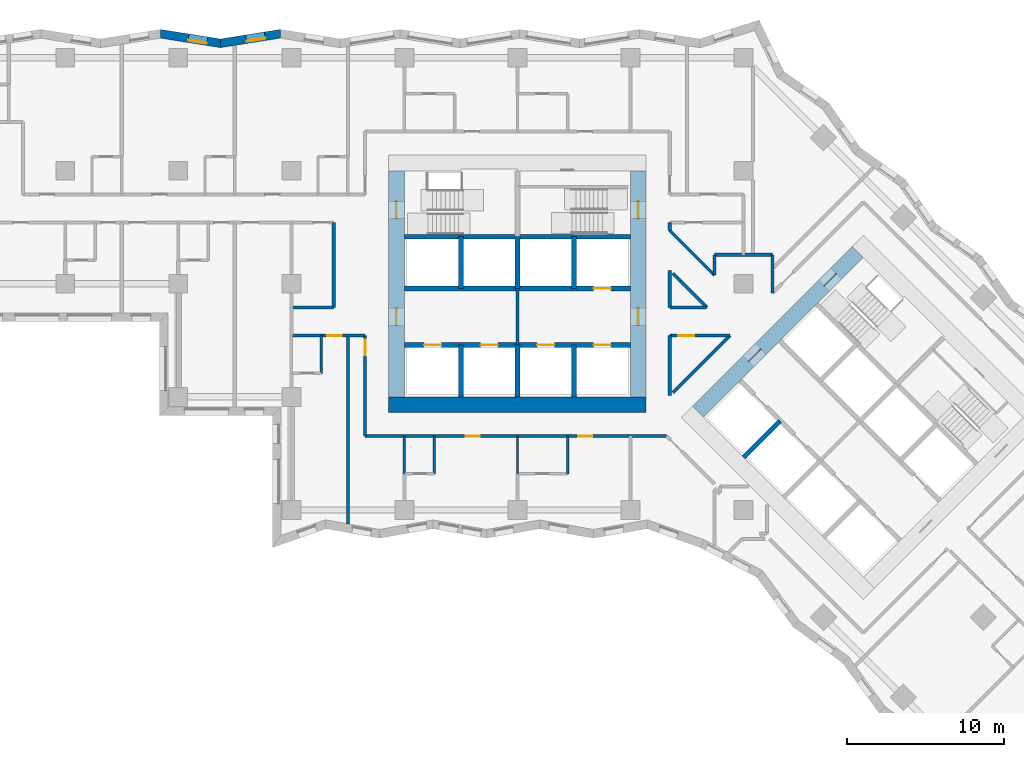
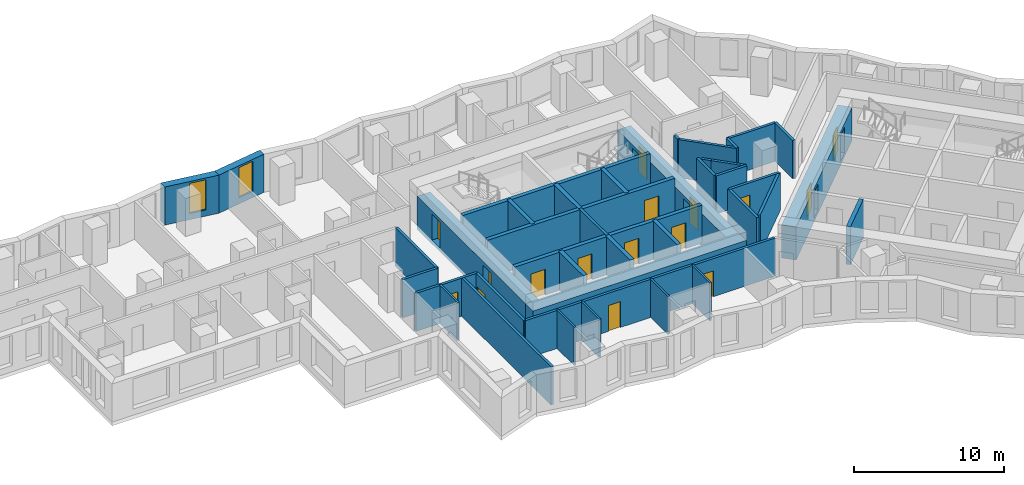
# One storey, part 5 of 12: 41 walls, 16 doors, 2 windows, 18 openings.
"""IFC4 building model written with IfcOpenShell, lengths in metres."""

from ifc_helpers import new_model, si_unit, direction, frame, frame_2d, origin, place, context, subcontext, project, spatial, polyline, rectangle, outline, extrude, material, layer, layer_set, type_object, element, fill, save


model = new_model("IFC4")

# Units and contexts
model_context = context("Model", 3, precision=1e-05, world=origin(), true_north=direction((0.0, 1.0)))
body_context = subcontext(model_context, "Body", "Model", "MODEL_VIEW")
ifc_project = project(units=[si_unit("LENGTHUNIT", "METRE"), si_unit("AREAUNIT", "SQUARE_METRE"), si_unit("VOLUMEUNIT", "CUBIC_METRE"), si_unit("PLANEANGLEUNIT", "RADIAN"), si_unit("MASSUNIT", "GRAM", prefix="KILO")], contexts=[model_context])

# Site, building, storey
site_placement = place(None, origin())
site = spatial("IfcSite", under=ifc_project, at=site_placement, CompositionType="ELEMENT")
building_placement = place(site_placement, origin())
building = spatial("IfcBuilding", under=site, at=building_placement, Name="Windrow Commons", CompositionType="ELEMENT")
storey_placement = place(building_placement, frame((0.0, 0.0, 61.0)))
storey = spatial("IfcBuildingStorey", under=building, at=storey_placement, Name="L16", CompositionType="ELEMENT", Elevation=61.0)

# Wall, opening, window
ifc_material_1 = material(Name="Brick masonry, red clay brick", Category="masonry")
ifc_layer_1 = layer(ifc_material_1, 0.55)
ifc_layer_set_1 = layer_set([ifc_layer_1], Name="Brick facade wall 550")
wall_type_1 = type_object("IfcWallType", Name="Brick facade wall 550", PredefinedType="SOLIDWALL", material=ifc_layer_set_1)
wall_1_placement = place(storey_placement, frame((49.6962, 73.5246, 0.0), z_axis=(0.0, 0.0, 1.0), x_axis=(-0.9877213372, -0.1562259905, 0.0)))
wall_1 = element("IfcWall", 1, at=wall_1_placement, inside=storey, type_object=wall_type_1, Name="Brick facade wall L16 31", PredefinedType="SOLIDWALL", context=body_context, shape_type="SweptSolid", body=[
    extrude(outline(polyline([(-0.0435, -0.275), (3.8163, -0.275), (3.9033, 0.275), (0.0435, 0.275), (-0.0435, -0.275)])), origin(), (0.0, 0.0, 1.0), 3.1),
])
opening_1_placement = place(wall_1_placement, frame((0.9878, 0.0, 0.5)))
opening_1 = element("IfcOpeningElement", 2, at=opening_1_placement, cuts=wall_1, Name="Opening W7D", PredefinedType="OPENING", context=body_context, shape_type="SweptSolid", body=[
    extrude(rectangle(XDim=1.2, YDim=2.45, at=frame_2d((0.6, 1.225))), frame((0.0, 0.285, 0.0), z_axis=(0.0, -1.0, 0.0), x_axis=(1.0, 0.0, 0.0)), (0.0, 0.0, 1.0), 0.57),
])
ifc_material_2 = material(Name="Clear float glass in anodised aluminium frame", Category="aluminium")
window_type = type_object("IfcWindowType", Name="Window W7 notch 1200x2450", PartitioningType="SINGLE_PANEL", PredefinedType="WINDOW", material=ifc_material_2)
window_1_placement = place(opening_1_placement, origin())
window_1 = element("IfcWindow", 3, at=window_1_placement, inside=storey, type_object=window_type, Name="Window L16 31.1", OverallHeight=2.45, OverallWidth=1.2, PartitioningType="SINGLE_PANEL", PredefinedType="WINDOW", context=body_context, shape_type="SweptSolid", body=[
    extrude(rectangle(XDim=1.2, YDim=2.45, at=frame_2d((0.6, 1.225))), frame((0.0, 0.155, 0.0), z_axis=(0.0, -1.0, 0.0), x_axis=(1.0, 0.0, 0.0)), (0.0, 0.0, 1.0), 0.06),
])
fill(opening_1, window_1)

wall_2_placement = place(storey_placement, frame((45.8838, 72.9216, 0.0), z_axis=(0.0, 0.0, 1.0), x_axis=(-0.9877213372, 0.1562259905, 0.0)))
wall_2 = element("IfcWall", 4, at=wall_2_placement, inside=storey, type_object=wall_type_1, Name="Brick facade wall L16 32", PredefinedType="SOLIDWALL", context=body_context, shape_type="SweptSolid", body=[
    extrude(outline(polyline([(0.0435, -0.275), (3.9033, -0.275), (3.8163, 0.275), (-0.0435, 0.275), (0.0435, -0.275)])), origin(), (0.0, 0.0, 1.0), 3.1),
])
opening_2_placement = place(wall_2_placement, frame((0.8586, 0.0, 0.5)))
opening_2 = element("IfcOpeningElement", 5, at=opening_2_placement, cuts=wall_2, Name="Opening W7D", PredefinedType="OPENING", context=body_context, shape_type="SweptSolid", body=[
    extrude(rectangle(XDim=1.2, YDim=2.45, at=frame_2d((0.6, 1.225))), frame((0.0, 0.285, 0.0), z_axis=(0.0, -1.0, 0.0), x_axis=(1.0, 0.0, 0.0)), (0.0, 0.0, 1.0), 0.57),
])
window_2_placement = place(opening_2_placement, origin())
window_2 = element("IfcWindow", 6, at=window_2_placement, inside=storey, type_object=window_type, Name="Window L16 32.1", OverallHeight=2.45, OverallWidth=1.2, PartitioningType="SINGLE_PANEL", PredefinedType="WINDOW", context=body_context, shape_type="SweptSolid", body=[
    extrude(rectangle(XDim=1.2, YDim=2.45, at=frame_2d((0.6, 1.225))), frame((0.0, 0.155, 0.0), z_axis=(0.0, -1.0, 0.0), x_axis=(1.0, 0.0, 0.0)), (0.0, 0.0, 1.0), 0.06),
])
fill(opening_2, window_2)

# Wall
ifc_material_3 = material(Name="Blockwork partition", Category="masonry")
ifc_layer_2 = layer(ifc_material_3, 0.2)
ifc_layer_set_2 = layer_set([ifc_layer_2], Name="Fire lobby partition 200")
wall_type_2 = type_object("IfcWallType", Name="Fire lobby partition 200", PredefinedType="PARTITIONING", material=ifc_layer_set_2)
wall_3_placement = place(storey_placement, frame((64.8, 53.7, 0.0), z_axis=(0.0, 0.0, 1.0), x_axis=(0.0, 1.0, 0.0)))
element("IfcWall", 7, at=wall_3_placement, inside=storey, type_object=wall_type_2, Name="W-core-lobby-A-L16", PredefinedType="PARTITIONING", context=body_context, shape_type="SweptSolid", body=[
    extrude(rectangle(XDim=3.6, YDim=0.2, at=frame_2d((1.8, 0.0))), origin(), (0.0, 0.0, 1.0), 3.1),
])

# Wall, openings, doors
ifc_material_4 = material(Name="Blockwork partition", Category="masonry")
ifc_layer_3 = layer(ifc_material_4, 0.2)
ifc_layer_set_3 = layer_set([ifc_layer_3], Name="IW-CORRIDOR-200")
wall_type_3 = type_object("IfcWallType", Name="IW-CORRIDOR-200", PredefinedType="PARTITIONING", material=ifc_layer_set_3)
wall_4_placement = place(storey_placement, frame((55.1, 47.9, 0.0), z_axis=(0.0, 0.0, 1.0), x_axis=(1.0, 0.0, 0.0)))
wall_4 = element("IfcWall", 8, at=wall_4_placement, inside=storey, type_object=wall_type_3, Name="W-L16-W003", PredefinedType="PARTITIONING", context=body_context, shape_type="SweptSolid", body=[
    extrude(rectangle(XDim=19.208, YDim=0.2, at=frame_2d((9.604, 0.0))), origin(), (0.0, 0.0, 1.0), 3.1),
])
opening_3_placement = place(wall_4_placement, frame((6.3994, 0.0, 0.0)))
opening_3 = element("IfcOpeningElement", 9, at=opening_3_placement, cuts=wall_4, Name="Opening D109F", PredefinedType="OPENING", context=body_context, shape_type="SweptSolid", body=[
    extrude(rectangle(XDim=0.9, YDim=2.1, at=frame_2d((0.45, 1.05))), frame((0.0, 0.11, 0.0), z_axis=(0.0, -1.0, 0.0), x_axis=(1.0, 0.0, 0.0)), (0.0, 0.0, 1.0), 0.22),
])
opening_4_placement = place(wall_4_placement, frame((13.5607, 0.0, 0.0)))
opening_4 = element("IfcOpeningElement", 10, at=opening_4_placement, cuts=wall_4, Name="Opening D109F", PredefinedType="OPENING", context=body_context, shape_type="SweptSolid", body=[
    extrude(rectangle(XDim=0.9, YDim=2.1, at=frame_2d((0.45, 1.05))), frame((0.0, 0.11, 0.0), z_axis=(0.0, -1.0, 0.0), x_axis=(1.0, 0.0, 0.0)), (0.0, 0.0, 1.0), 0.22),
])
ifc_material_5 = material(Name="Timber door leaf", Category="wood")
door_type_1 = type_object("IfcDoorType", Name="DT-BEDROOM-900", OperationType="SINGLE_SWING_LEFT", PredefinedType="DOOR", material=ifc_material_5)
door_1_placement = place(opening_3_placement, origin())
door_1 = element("IfcDoor", 11, at=door_1_placement, inside=storey, type_object=door_type_1, Name="D-L16-D029", OperationType="SINGLE_SWING_LEFT", OverallHeight=2.1, OverallWidth=0.9, PredefinedType="DOOR", context=body_context, shape_type="SweptSolid", body=[
    extrude(rectangle(XDim=0.9, YDim=2.1, at=frame_2d((0.45, 1.05))), frame((0.0, 0.025, 0.0), z_axis=(0.0, -1.0, 0.0), x_axis=(1.0, 0.0, 0.0)), (0.0, 0.0, 1.0), 0.05),
])
fill(opening_3, door_1)
door_2_placement = place(opening_4_placement, origin())
door_2 = element("IfcDoor", 12, at=door_2_placement, inside=storey, type_object=door_type_1, Name="D-L16-D031", OperationType="SINGLE_SWING_LEFT", OverallHeight=2.1, OverallWidth=0.9, PredefinedType="DOOR", context=body_context, shape_type="SweptSolid", body=[
    extrude(rectangle(XDim=0.9, YDim=2.1, at=frame_2d((0.45, 1.05))), frame((0.0, 0.025, 0.0), z_axis=(0.0, -1.0, 0.0), x_axis=(1.0, 0.0, 0.0)), (0.0, 0.0, 1.0), 0.05),
])
fill(opening_4, door_2)

# Wall, opening, door
wall_5_placement = place(storey_placement, frame((55.1, 47.9, 0.0), z_axis=(0.0, 0.0, 1.0), x_axis=(0.0, 1.0, 0.0)))
wall_5 = element("IfcWall", 13, at=wall_5_placement, inside=storey, type_object=wall_type_3, Name="W-L16-W027", PredefinedType="PARTITIONING", context=body_context, shape_type="SweptSolid", body=[
    extrude(rectangle(XDim=6.4, YDim=0.2, at=frame_2d((3.2, 0.0))), origin(), (0.0, 0.0, 1.0), 3.1),
])
opening_5_placement = place(wall_5_placement, frame((5.1407, 0.0, 0.0)))
opening_5 = element("IfcOpeningElement", 14, at=opening_5_placement, cuts=wall_5, Name="Opening D310F", PredefinedType="OPENING", context=body_context, shape_type="SweptSolid", body=[
    extrude(rectangle(XDim=1.0, YDim=2.1, at=frame_2d((0.5, 1.05))), frame((0.0, 0.11, 0.0), z_axis=(0.0, -1.0, 0.0), x_axis=(1.0, 0.0, 0.0)), (0.0, 0.0, 1.0), 0.22),
])
ifc_material_6 = material(Name="Timber door leaf", Category="wood")
door_type_2 = type_object("IfcDoorType", Name="DT-AMENITY-1000", OperationType="SINGLE_SWING_LEFT", PredefinedType="DOOR", material=ifc_material_6)
door_3_placement = place(opening_5_placement, origin())
door_3 = element("IfcDoor", 15, at=door_3_placement, inside=storey, type_object=door_type_2, Name="D-L16-D024", OperationType="SINGLE_SWING_RIGHT", OverallHeight=2.1, OverallWidth=1.0, PredefinedType="DOOR", context=body_context, shape_type="SweptSolid", body=[
    extrude(rectangle(XDim=1.0, YDim=2.1, at=frame_2d((0.5, 1.05))), frame((0.0, 0.025, 0.0), z_axis=(0.0, -1.0, 0.0), x_axis=(1.0, 0.0, 0.0)), (0.0, 0.0, 1.0), 0.05),
])
fill(opening_5, door_3)

# Walls
wall_6_placement = place(storey_placement, frame((53.1, 56.102, 0.0), z_axis=(0.0, 0.0, 1.0), x_axis=(0.0, 1.0, 0.0)))
element("IfcWall", 16, at=wall_6_placement, inside=storey, type_object=wall_type_3, Name="W-L16-W035", PredefinedType="PARTITIONING", context=body_context, shape_type="SweptSolid", body=[
    extrude(rectangle(XDim=5.398, YDim=0.2, at=frame_2d((2.699, 0.0))), origin(), (0.0, 0.0, 1.0), 3.1),
])
wall_7_placement = place(storey_placement, frame((74.6987, 50.6713, 0.0), z_axis=(0.0, 0.0, 1.0), x_axis=(0.7071067812, 0.7071067812, 0.0)))
element("IfcWall", 17, at=wall_7_placement, inside=storey, type_object=wall_type_3, Name="W-L16-W036", PredefinedType="PARTITIONING", context=body_context, shape_type="SweptSolid", body=[
    extrude(rectangle(XDim=5.1308, YDim=0.2, at=frame_2d((2.5654, 0.0))), origin(), (0.0, 0.0, 1.0), 3.1),
])

# Wall, opening, door
wall_8_placement = place(storey_placement, frame((50.4, 54.3, 0.0), z_axis=(0.0, 0.0, 1.0), x_axis=(1.0, 0.0, 0.0)))
wall_8 = element("IfcWall", 18, at=wall_8_placement, inside=storey, type_object=wall_type_3, Name="W-L16-W039", PredefinedType="PARTITIONING", context=body_context, shape_type="SweptSolid", body=[
    extrude(rectangle(XDim=4.7, YDim=0.2, at=frame_2d((2.35, 0.0))), origin(), (0.0, 0.0, 1.0), 3.1),
])
opening_6_placement = place(wall_8_placement, frame((2.3, 0.0, 0.0)))
opening_6 = element("IfcOpeningElement", 19, at=opening_6_placement, cuts=wall_8, Name="Opening D109S", PredefinedType="OPENING", context=body_context, shape_type="SweptSolid", body=[
    extrude(rectangle(XDim=0.9, YDim=2.1, at=frame_2d((0.45, 1.05))), frame((0.0, 0.11, 0.0), z_axis=(0.0, -1.0, 0.0), x_axis=(1.0, 0.0, 0.0)), (0.0, 0.0, 1.0), 0.22),
])
door_4_placement = place(opening_6_placement, origin())
door_4 = element("IfcDoor", 20, at=door_4_placement, inside=storey, type_object=door_type_1, Name="D-L16-D022", OperationType="SINGLE_SWING_LEFT", OverallHeight=2.1, OverallWidth=0.9, PredefinedType="DOOR", context=body_context, shape_type="SweptSolid", body=[
    extrude(rectangle(XDim=0.9, YDim=2.1, at=frame_2d((0.45, 1.05))), frame((0.0, 0.025, 0.0), z_axis=(0.0, -1.0, 0.0), x_axis=(1.0, 0.0, 0.0)), (0.0, 0.0, 1.0), 0.05),
])
fill(opening_6, door_4)

# Walls
wall_9_placement = place(storey_placement, frame((74.4969, 60.9989, 0.0), z_axis=(0.0, 0.0, 1.0), x_axis=(0.7071067812, -0.7071067812, 0.0)))
element("IfcWall", 21, at=wall_9_placement, inside=storey, type_object=wall_type_3, Name="W-L16-W048", PredefinedType="PARTITIONING", context=body_context, shape_type="SweptSolid", body=[
    extrude(rectangle(XDim=4.0277, YDim=0.2, at=frame_2d((2.0139, 0.0))), origin(), (0.0, 0.0, 1.0), 3.1),
])
wall_10_placement = place(storey_placement, frame((74.5, 50.474, 0.0), z_axis=(0.0, 0.0, 1.0), x_axis=(0.0, 1.0, 0.0)))
element("IfcWall", 22, at=wall_10_placement, inside=storey, type_object=wall_type_3, Name="W-L16-W051", PredefinedType="PARTITIONING", context=body_context, shape_type="SweptSolid", body=[
    extrude(rectangle(XDim=3.826, YDim=0.2, at=frame_2d((1.913, 0.0))), origin(), (0.0, 0.0, 1.0), 3.1),
])

# Wall, opening, door
wall_11_placement = place(storey_placement, frame((74.502, 54.3, 0.0), z_axis=(0.0, 0.0, 1.0), x_axis=(1.0, 0.0, 0.0)))
wall_11 = element("IfcWall", 23, at=wall_11_placement, inside=storey, type_object=wall_type_3, Name="W-L16-W052", PredefinedType="PARTITIONING", context=body_context, shape_type="SweptSolid", body=[
    extrude(rectangle(XDim=3.824, YDim=0.2, at=frame_2d((1.912, 0.0))), origin(), (0.0, 0.0, 1.0), 3.1),
])
opening_7_placement = place(wall_11_placement, frame((0.5499, 0.0, 0.0)))
opening_7 = element("IfcOpeningElement", 24, at=opening_7_placement, cuts=wall_11, Name="Opening D310F", PredefinedType="OPENING", context=body_context, shape_type="SweptSolid", body=[
    extrude(rectangle(XDim=1.0, YDim=2.1, at=frame_2d((0.5, 1.05))), frame((0.0, 0.11, 0.0), z_axis=(0.0, -1.0, 0.0), x_axis=(1.0, 0.0, 0.0)), (0.0, 0.0, 1.0), 0.22),
])
door_5_placement = place(opening_7_placement, origin())
door_5 = element("IfcDoor", 25, at=door_5_placement, inside=storey, type_object=door_type_2, Name="D-L16-D000", OperationType="SINGLE_SWING_RIGHT", OverallHeight=2.1, OverallWidth=1.0, PredefinedType="DOOR", context=body_context, shape_type="SweptSolid", body=[
    extrude(rectangle(XDim=1.0, YDim=2.1, at=frame_2d((0.5, 1.05))), frame((0.0, 0.025, 0.0), z_axis=(0.0, -1.0, 0.0), x_axis=(1.0, 0.0, 0.0)), (0.0, 0.0, 1.0), 0.05),
])
fill(opening_7, door_5)

# Walls
wall_12_placement = place(storey_placement, frame((77.352, 59.45, 0.0), z_axis=(0.0, 0.0, 1.0), x_axis=(1.0, 0.0, 0.0)))
element("IfcWall", 26, at=wall_12_placement, inside=storey, type_object=wall_type_3, Name="W-L16-W053", PredefinedType="PARTITIONING", context=body_context, shape_type="SweptSolid", body=[
    extrude(rectangle(XDim=3.698, YDim=0.2, at=frame_2d((1.849, 0.0))), origin(), (0.0, 0.0, 1.0), 3.1),
])
wall_13_placement = place(storey_placement, frame((50.4, 56.1, 0.0), z_axis=(0.0, 0.0, 1.0), x_axis=(1.0, 0.0, 0.0)))
element("IfcWall", 27, at=wall_13_placement, inside=storey, type_object=wall_type_3, Name="W-L16-W066", PredefinedType="PARTITIONING", context=body_context, shape_type="SweptSolid", body=[
    extrude(rectangle(XDim=2.7, YDim=0.2, at=frame_2d((1.35, 0.0))), origin(), (0.0, 0.0, 1.0), 3.1),
])
wall_14_placement = place(storey_placement, frame((81.05, 57.024, 0.0), z_axis=(0.0, 0.0, 1.0), x_axis=(0.0, 1.0, 0.0)))
element("IfcWall", 28, at=wall_14_placement, inside=storey, type_object=wall_type_3, Name="W-L16-W071", PredefinedType="PARTITIONING", context=body_context, shape_type="SweptSolid", body=[
    extrude(rectangle(XDim=2.426, YDim=0.2, at=frame_2d((1.213, 0.0))), origin(), (0.0, 0.0, 1.0), 3.1),
])
wall_15_placement = place(storey_placement, frame((75.168, 57.786, 0.0), z_axis=(0.0, 0.0, 1.0), x_axis=(0.7066870088, -0.7075263045, 0.0)))
element("IfcWall", 29, at=wall_15_placement, inside=storey, type_object=wall_type_3, Name="W-L16-W109", PredefinedType="PARTITIONING", context=body_context, shape_type="SweptSolid", body=[
    extrude(rectangle(XDim=2.383, YDim=0.2, at=frame_2d((1.1915, 0.0))), origin(), (0.0, 0.0, 1.0), 3.1),
])
for number, where, z_axis, x_axis, name in (
    (30, (74.502, 56.1, 0.0), (0.0, 0.0, 1.0), (1.0, 0.0, 0.0), "W-L16-W110"),
    (31, (74.5, 56.102, 0.0), (0.0, 0.0, 1.0), (0.0, 1.0, 0.0), "W-L16-W111"),
):
    element("IfcWall", number, at=place(storey_placement, frame(where, z_axis=z_axis, x_axis=x_axis)), inside=storey, type_object=wall_type_3, Name=name, PredefinedType="PARTITIONING", context=body_context, shape_type="SweptSolid", body=[
        extrude(rectangle(XDim=2.352, YDim=0.2, at=frame_2d((1.176, 0.0))), origin(), (0.0, 0.0, 1.0), 3.1),
    ])
wall_16_placement = place(storey_placement, frame((77.35, 58.154, 0.0), z_axis=(0.0, 0.0, 1.0), x_axis=(0.0, 1.0, 0.0)))
element("IfcWall", 32, at=wall_16_placement, inside=storey, type_object=wall_type_3, Name="W-L16-W142", PredefinedType="PARTITIONING", context=body_context, shape_type="SweptSolid", body=[
    extrude(rectangle(XDim=1.296, YDim=0.2, at=frame_2d((0.648, 0.0))), origin(), (0.0, 0.0, 1.0), 3.1),
])
wall_17_placement = place(storey_placement, frame((74.7006, 58.2566, 0.0), z_axis=(0.0, 0.0, 1.0), x_axis=(0.7086128608, -0.7055974869, 0.0)))
element("IfcWall", 33, at=wall_17_placement, inside=storey, type_object=wall_type_3, Name="W-L16-W152", PredefinedType="PARTITIONING", context=body_context, shape_type="SweptSolid", body=[
    extrude(rectangle(XDim=0.6633, YDim=0.2, at=frame_2d((0.3317, 0.0))), origin(), (0.0, 0.0, 1.0), 3.1),
])
wall_18_placement = place(storey_placement, frame((74.5, 61.002, 0.0), z_axis=(0.0, 0.0, 1.0), x_axis=(0.0, 1.0, 0.0)))
element("IfcWall", 34, at=wall_18_placement, inside=storey, type_object=wall_type_3, Name="W-L16-W162", PredefinedType="PARTITIONING", context=body_context, shape_type="SweptSolid", body=[
    extrude(rectangle(XDim=0.498, YDim=0.2, at=frame_2d((0.249, 0.0))), origin(), (0.0, 0.0, 1.0), 3.1),
])
ifc_material_7 = material(Name="Blockwork partition", Category="masonry")
ifc_layer_4 = layer(ifc_material_7, 0.15)
ifc_layer_set_4 = layer_set([ifc_layer_4], Name="IW-ENSUITE-150")
wall_type_4 = type_object("IfcWallType", Name="IW-ENSUITE-150", PredefinedType="PARTITIONING", material=ifc_layer_set_4)
for number, where, z_axis, x_axis, name in (
    (35, (52.3, 51.9, 0.0), (0.0, 0.0, 1.0), (0.0, 1.0, 0.0), "W-L16-W090"),
    (36, (59.5, 45.5, 0.0), (0.0, 0.0, 1.0), (0.0, 1.0, 0.0), "W-L16-W092"),
    (37, (57.6, 45.5, 0.0), (0.0, 0.0, 1.0), (0.0, 1.0, 0.0), "W-L16-W093"),
    (38, (68.0, 45.5, 0.0), (0.0, 0.0, 1.0), (0.0, 1.0, 0.0), "W-L16-W094"),
    (39, (64.8, 45.5, 0.0), (0.0, 0.0, 1.0), (0.0, 1.0, 0.0), "W-L16-W095"),
):
    element("IfcWall", number, at=place(storey_placement, frame(where, z_axis=z_axis, x_axis=x_axis)), inside=storey, type_object=wall_type_4, Name=name, PredefinedType="PARTITIONING", context=body_context, shape_type="SweptSolid", body=[
        extrude(rectangle(XDim=2.4, YDim=0.15, at=frame_2d((1.2, 0.0))), origin(), (0.0, 0.0, 1.0), 3.1),
    ])
ifc_material_8 = material(Name="Blockwork partition", Category="masonry")
ifc_layer_5 = layer(ifc_material_8, 0.2)
ifc_layer_set_5 = layer_set([ifc_layer_5], Name="IW-PARTY-200")
wall_type_5 = type_object("IfcWallType", Name="IW-PARTY-200", PredefinedType="PARTITIONING", material=ifc_layer_set_5)
wall_19_placement = place(storey_placement, frame((54.0, 42.3121, 0.0), z_axis=(0.0, 0.0, 1.0), x_axis=(0.0, 1.0, 0.0)))
element("IfcWall", 40, at=wall_19_placement, inside=storey, type_object=wall_type_5, Name="W-L16-W007", PredefinedType="PARTITIONING", context=body_context, shape_type="SweptSolid", body=[
    extrude(rectangle(XDim=11.9879, YDim=0.2, at=frame_2d((5.9939, 0.0))), origin(), (0.0, 0.0, 1.0), 3.1),
])
ifc_material_9 = material(Name="Concrete C60/75", Category="concrete")
ifc_layer_6 = layer(ifc_material_9, 1.0)
ifc_layer_set_6 = layer_set([ifc_layer_6], Name="RC CORE WALL 1000 C60/75")
wall_type_6 = type_object("IfcWallType", Name="RC CORE WALL 1000 C60/75", PredefinedType="SHEAR", material=ifc_layer_set_6)
wall_20_placement = place(storey_placement, frame((56.6, 49.9, -0.3), z_axis=(0.0, 0.0, 1.0), x_axis=(1.0, 0.0, 0.0)))
element("IfcWall", 41, at=wall_20_placement, inside=storey, type_object=wall_type_6, Name="Core A wall outer-S", PredefinedType="SHEAR", context=body_context, shape_type="SweptSolid", body=[
    extrude(rectangle(XDim=16.4, YDim=1.0, at=frame_2d((8.2, 0.0))), origin(), (0.0, 0.0, 1.0), 2.7),
])

# Wall, openings, doors
wall_21_placement = place(storey_placement, frame((57.1, 50.4, -0.3), z_axis=(0.0, 0.0, 1.0), x_axis=(0.0, 1.0, 0.0)))
wall_21 = element("IfcWall", 42, at=wall_21_placement, inside=storey, type_object=wall_type_6, Name="Core A wall outer-W", PredefinedType="SHEAR", context=body_context, shape_type="SweptSolid", body=[
    extrude(rectangle(XDim=14.4, YDim=1.0, at=frame_2d((7.2, 0.0))), origin(), (0.0, 0.0, 1.0), 2.7),
])
opening_8_placement = place(wall_21_placement, frame((4.55, 0.0, 0.3)))
opening_8 = element("IfcOpeningElement", 43, at=opening_8_placement, cuts=wall_21, Name="Opening D6", PredefinedType="OPENING", context=body_context, shape_type="SweptSolid", body=[
    extrude(rectangle(XDim=1.1, YDim=2.1, at=frame_2d((0.55, 1.05))), frame((0.0, 0.51, 0.0), z_axis=(0.0, -1.0, 0.0), x_axis=(1.0, 0.0, 0.0)), (0.0, 0.0, 1.0), 1.02),
])
opening_9_placement = place(wall_21_placement, frame((11.35, 0.0, 0.3)))
opening_9 = element("IfcOpeningElement", 44, at=opening_9_placement, cuts=wall_21, Name="Opening D7", PredefinedType="OPENING", context=body_context, shape_type="SweptSolid", body=[
    extrude(rectangle(XDim=1.1, YDim=2.1, at=frame_2d((0.55, 1.05))), frame((0.0, 0.51, 0.0), z_axis=(0.0, -1.0, 0.0), x_axis=(1.0, 0.0, 0.0)), (0.0, 0.0, 1.0), 1.02),
])
ifc_material_10 = material(Name="Steel fire door leaf", Category="steel")
door_type_3 = type_object("IfcDoorType", Name="Core lobby door 1100", OperationType="SINGLE_SWING_LEFT", PredefinedType="DOOR", material=ifc_material_10)
door_6_placement = place(opening_8_placement, origin())
door_6 = element("IfcDoor", 45, at=door_6_placement, inside=storey, type_object=door_type_3, Name="Lift lobby door", OperationType="DOUBLE_DOOR_SINGLE_SWING", OverallHeight=2.1, OverallWidth=1.1, PredefinedType="DOOR", context=body_context, shape_type="SweptSolid", body=[
    extrude(rectangle(XDim=1.1, YDim=2.1, at=frame_2d((0.55, 1.05))), frame((0.0, 0.025, 0.0), z_axis=(0.0, -1.0, 0.0), x_axis=(1.0, 0.0, 0.0)), (0.0, 0.0, 1.0), 0.05),
])
fill(opening_8, door_6)
ifc_material_11 = material(Name="Steel fire door leaf", Category="steel")
door_type_4 = type_object("IfcDoorType", Name="Stair door 1100", OperationType="SINGLE_SWING_LEFT", PredefinedType="DOOR", material=ifc_material_11)
door_7_placement = place(opening_9_placement, origin())
door_7 = element("IfcDoor", 46, at=door_7_placement, inside=storey, type_object=door_type_4, Name="Stair door", OperationType="SINGLE_SWING_LEFT", OverallHeight=2.1, OverallWidth=1.1, PredefinedType="DOOR", context=body_context, shape_type="SweptSolid", body=[
    extrude(rectangle(XDim=1.1, YDim=2.1, at=frame_2d((0.55, 1.05))), frame((0.0, 0.025, 0.0), z_axis=(0.0, -1.0, 0.0), x_axis=(1.0, 0.0, 0.0)), (0.0, 0.0, 1.0), 0.05),
])
fill(opening_9, door_7)

wall_22_placement = place(storey_placement, frame((72.5, 50.4, -0.3), z_axis=(0.0, 0.0, 1.0), x_axis=(0.0, 1.0, 0.0)))
wall_22 = element("IfcWall", 47, at=wall_22_placement, inside=storey, type_object=wall_type_6, Name="Core A wall outer-E", PredefinedType="SHEAR", context=body_context, shape_type="SweptSolid", body=[
    extrude(rectangle(XDim=14.4, YDim=1.0, at=frame_2d((7.2, 0.0))), origin(), (0.0, 0.0, 1.0), 2.7),
])
opening_10_placement = place(wall_22_placement, frame((4.55, 0.0, 0.3)))
opening_10 = element("IfcOpeningElement", 48, at=opening_10_placement, cuts=wall_22, Name="Opening D6", PredefinedType="OPENING", context=body_context, shape_type="SweptSolid", body=[
    extrude(rectangle(XDim=1.1, YDim=2.1, at=frame_2d((0.55, 1.05))), frame((0.0, 0.51, 0.0), z_axis=(0.0, -1.0, 0.0), x_axis=(1.0, 0.0, 0.0)), (0.0, 0.0, 1.0), 1.02),
])
opening_11_placement = place(wall_22_placement, frame((11.35, 0.0, 0.3)))
opening_11 = element("IfcOpeningElement", 49, at=opening_11_placement, cuts=wall_22, Name="Opening D7", PredefinedType="OPENING", context=body_context, shape_type="SweptSolid", body=[
    extrude(rectangle(XDim=1.1, YDim=2.1, at=frame_2d((0.55, 1.05))), frame((0.0, 0.51, 0.0), z_axis=(0.0, -1.0, 0.0), x_axis=(1.0, 0.0, 0.0)), (0.0, 0.0, 1.0), 1.02),
])
door_8_placement = place(opening_10_placement, origin())
door_8 = element("IfcDoor", 50, at=door_8_placement, inside=storey, type_object=door_type_3, Name="Lift lobby door", OperationType="DOUBLE_DOOR_SINGLE_SWING", OverallHeight=2.1, OverallWidth=1.1, PredefinedType="DOOR", context=body_context, shape_type="SweptSolid", body=[
    extrude(rectangle(XDim=1.1, YDim=2.1, at=frame_2d((0.55, 1.05))), frame((0.0, 0.025, 0.0), z_axis=(0.0, -1.0, 0.0), x_axis=(1.0, 0.0, 0.0)), (0.0, 0.0, 1.0), 0.05),
])
fill(opening_10, door_8)
door_9_placement = place(opening_11_placement, origin())
door_9 = element("IfcDoor", 51, at=door_9_placement, inside=storey, type_object=door_type_4, Name="Stair door", OperationType="SINGLE_SWING_RIGHT", OverallHeight=2.1, OverallWidth=1.1, PredefinedType="DOOR", context=body_context, shape_type="SweptSolid", body=[
    extrude(rectangle(XDim=1.1, YDim=2.1, at=frame_2d((0.55, 1.05))), frame((0.0, 0.025, 0.0), z_axis=(0.0, -1.0, 0.0), x_axis=(1.0, 0.0, 0.0)), (0.0, 0.0, 1.0), 0.05),
])
fill(opening_11, door_9)

wall_23_placement = place(storey_placement, frame((76.3009, 49.4433, -0.3), z_axis=(0.0, 0.0, 1.0), x_axis=(0.7071067812, 0.7071067812, 0.0)))
wall_23 = element("IfcWall", 52, at=wall_23_placement, inside=storey, type_object=wall_type_6, Name="Core B wall outer-W", PredefinedType="SHEAR", context=body_context, shape_type="SweptSolid", body=[
    extrude(rectangle(XDim=14.3999, YDim=1.0, at=frame_2d((7.2, 0.0))), origin(), (0.0, 0.0, 1.0), 2.7),
])
opening_12_placement = place(wall_23_placement, frame((4.55, 0.0, 0.3)))
opening_12 = element("IfcOpeningElement", 53, at=opening_12_placement, cuts=wall_23, Name="Opening D6", PredefinedType="OPENING", context=body_context, shape_type="SweptSolid", body=[
    extrude(rectangle(XDim=1.1, YDim=2.1, at=frame_2d((0.55, 1.05))), frame((0.0, 0.51, 0.0), z_axis=(0.0, -1.0, 0.0), x_axis=(1.0, 0.0, 0.0)), (0.0, 0.0, 1.0), 1.02),
])
opening_13_placement = place(wall_23_placement, frame((11.35, 0.0, 0.3)))
opening_13 = element("IfcOpeningElement", 54, at=opening_13_placement, cuts=wall_23, Name="Opening D7", PredefinedType="OPENING", context=body_context, shape_type="SweptSolid", body=[
    extrude(rectangle(XDim=1.1, YDim=2.1, at=frame_2d((0.55, 1.05))), frame((0.0, 0.51, 0.0), z_axis=(0.0, -1.0, 0.0), x_axis=(1.0, 0.0, 0.0)), (0.0, 0.0, 1.0), 1.02),
])
door_10_placement = place(opening_12_placement, origin())
door_10 = element("IfcDoor", 55, at=door_10_placement, inside=storey, type_object=door_type_3, Name="Lift lobby door", OperationType="DOUBLE_DOOR_SINGLE_SWING", OverallHeight=2.1, OverallWidth=1.1, PredefinedType="DOOR", context=body_context, shape_type="SweptSolid", body=[
    extrude(rectangle(XDim=1.1, YDim=2.1, at=frame_2d((0.55, 1.05))), frame((0.0, 0.025, 0.0), z_axis=(0.0, -1.0, 0.0), x_axis=(1.0, 0.0, 0.0)), (0.0, 0.0, 1.0), 0.05),
])
fill(opening_12, door_10)
door_11_placement = place(opening_13_placement, origin())
door_11 = element("IfcDoor", 56, at=door_11_placement, inside=storey, type_object=door_type_4, Name="Stair door", OperationType="SINGLE_SWING_LEFT", OverallHeight=2.1, OverallWidth=1.1, PredefinedType="DOOR", context=body_context, shape_type="SweptSolid", body=[
    extrude(rectangle(XDim=1.1, YDim=2.1, at=frame_2d((0.55, 1.05))), frame((0.0, 0.025, 0.0), z_axis=(0.0, -1.0, 0.0), x_axis=(1.0, 0.0, 0.0)), (0.0, 0.0, 1.0), 0.05),
])
fill(opening_13, door_11)

# Walls
ifc_material_12 = material(Name="Concrete C60/75", Category="concrete")
ifc_layer_7 = layer(ifc_material_12, 0.3)
ifc_layer_set_7 = layer_set([ifc_layer_7], Name="RC SHAFT WALL 300 C60/75")
wall_type_7 = type_object("IfcWallType", Name="RC SHAFT WALL 300 C60/75", PredefinedType="SOLIDWALL", material=ifc_layer_set_7)
for number, where, z_axis, x_axis, name in (
    (57, (61.2, 50.4, 0.0), (0.0, 0.0, 1.0), (0.0, 1.0, 0.0), "Core A wall shaft-S1"),
    (58, (61.2, 57.3, 0.0), (0.0, 0.0, 1.0), (0.0, 1.0, 0.0), "Core A wall shaft-N1"),
    (59, (64.8, 50.4, 0.0), (0.0, 0.0, 1.0), (0.0, 1.0, 0.0), "Core A wall shaft-S2"),
    (60, (64.8, 57.3, 0.0), (0.0, 0.0, 1.0), (0.0, 1.0, 0.0), "Core A wall shaft-N2"),
    (61, (68.4, 50.4, 0.0), (0.0, 0.0, 1.0), (0.0, 1.0, 0.0), "Core A wall shaft-S3"),
    (62, (68.4, 57.3, 0.0), (0.0, 0.0, 1.0), (0.0, 1.0, 0.0), "Core A wall shaft-N3"),
):
    element("IfcWall", number, at=place(storey_placement, frame(where, z_axis=z_axis, x_axis=x_axis)), inside=storey, type_object=wall_type_7, Name=name, PredefinedType="SOLIDWALL", context=body_context, shape_type="SweptSolid", body=[
        extrude(rectangle(XDim=3.3, YDim=0.3, at=frame_2d((1.65, 0.0))), origin(), (0.0, 0.0, 1.0), 3.1),
    ])

# Wall, openings, doors
wall_24_placement = place(storey_placement, frame((57.6, 53.7, 0.0), z_axis=(0.0, 0.0, 1.0), x_axis=(1.0, 0.0, 0.0)))
wall_24 = element("IfcWall", 63, at=wall_24_placement, inside=storey, type_object=wall_type_7, Name="Core A wall lobby-S", PredefinedType="SOLIDWALL", context=body_context, shape_type="SweptSolid", body=[
    extrude(rectangle(XDim=14.4, YDim=0.3, at=frame_2d((7.2, 0.0))), origin(), (0.0, 0.0, 1.0), 3.1),
])
opening_14_placement = place(wall_24_placement, frame((1.25, 0.0, 0.0)))
opening_14 = element("IfcOpeningElement", 64, at=opening_14_placement, cuts=wall_24, Name="Opening LD", PredefinedType="OPENING", context=body_context, shape_type="SweptSolid", body=[
    extrude(rectangle(XDim=1.1, YDim=2.1, at=frame_2d((0.55, 1.05))), frame((0.0, 0.16, 0.0), z_axis=(0.0, -1.0, 0.0), x_axis=(1.0, 0.0, 0.0)), (0.0, 0.0, 1.0), 0.32),
])
opening_15_placement = place(wall_24_placement, frame((4.85, 0.0, 0.0)))
opening_15 = element("IfcOpeningElement", 65, at=opening_15_placement, cuts=wall_24, Name="Opening LD", PredefinedType="OPENING", context=body_context, shape_type="SweptSolid", body=[
    extrude(rectangle(XDim=1.1, YDim=2.1, at=frame_2d((0.55, 1.05))), frame((0.0, 0.16, 0.0), z_axis=(0.0, -1.0, 0.0), x_axis=(1.0, 0.0, 0.0)), (0.0, 0.0, 1.0), 0.32),
])
opening_16_placement = place(wall_24_placement, frame((8.45, 0.0, 0.0)))
opening_16 = element("IfcOpeningElement", 66, at=opening_16_placement, cuts=wall_24, Name="Opening LD", PredefinedType="OPENING", context=body_context, shape_type="SweptSolid", body=[
    extrude(rectangle(XDim=1.1, YDim=2.1, at=frame_2d((0.55, 1.05))), frame((0.0, 0.16, 0.0), z_axis=(0.0, -1.0, 0.0), x_axis=(1.0, 0.0, 0.0)), (0.0, 0.0, 1.0), 0.32),
])
opening_17_placement = place(wall_24_placement, frame((12.05, 0.0, 0.0)))
opening_17 = element("IfcOpeningElement", 67, at=opening_17_placement, cuts=wall_24, Name="Opening LD", PredefinedType="OPENING", context=body_context, shape_type="SweptSolid", body=[
    extrude(rectangle(XDim=1.1, YDim=2.1, at=frame_2d((0.55, 1.05))), frame((0.0, 0.16, 0.0), z_axis=(0.0, -1.0, 0.0), x_axis=(1.0, 0.0, 0.0)), (0.0, 0.0, 1.0), 0.32),
])
ifc_material_13 = material(Name="Stainless steel door leaf", Category="steel")
door_type_5 = type_object("IfcDoorType", Name="Lift landing door 1100", OperationType="SLIDING_TO_LEFT", PredefinedType="DOOR", material=ifc_material_13)
door_12_placement = place(opening_14_placement, origin())
door_12 = element("IfcDoor", 68, at=door_12_placement, inside=storey, type_object=door_type_5, Name="Lift landing door", OperationType="SLIDING_TO_LEFT", OverallHeight=2.1, OverallWidth=1.1, PredefinedType="DOOR", context=body_context, shape_type="SweptSolid", body=[
    extrude(rectangle(XDim=1.1, YDim=2.1, at=frame_2d((0.55, 1.05))), frame((0.0, 0.025, 0.0), z_axis=(0.0, -1.0, 0.0), x_axis=(1.0, 0.0, 0.0)), (0.0, 0.0, 1.0), 0.05),
])
fill(opening_14, door_12)
door_13_placement = place(opening_15_placement, origin())
door_13 = element("IfcDoor", 69, at=door_13_placement, inside=storey, type_object=door_type_5, Name="Lift landing door", OperationType="SLIDING_TO_RIGHT", OverallHeight=2.1, OverallWidth=1.1, PredefinedType="DOOR", context=body_context, shape_type="SweptSolid", body=[
    extrude(rectangle(XDim=1.1, YDim=2.1, at=frame_2d((0.55, 1.05))), frame((0.0, 0.025, 0.0), z_axis=(0.0, -1.0, 0.0), x_axis=(1.0, 0.0, 0.0)), (0.0, 0.0, 1.0), 0.05),
])
fill(opening_15, door_13)
door_14_placement = place(opening_16_placement, origin())
door_14 = element("IfcDoor", 70, at=door_14_placement, inside=storey, type_object=door_type_5, Name="Lift landing door", OperationType="SLIDING_TO_LEFT", OverallHeight=2.1, OverallWidth=1.1, PredefinedType="DOOR", context=body_context, shape_type="SweptSolid", body=[
    extrude(rectangle(XDim=1.1, YDim=2.1, at=frame_2d((0.55, 1.05))), frame((0.0, 0.025, 0.0), z_axis=(0.0, -1.0, 0.0), x_axis=(1.0, 0.0, 0.0)), (0.0, 0.0, 1.0), 0.05),
])
fill(opening_16, door_14)
door_15_placement = place(opening_17_placement, origin())
door_15 = element("IfcDoor", 71, at=door_15_placement, inside=storey, type_object=door_type_5, Name="Lift landing door", OperationType="SLIDING_TO_RIGHT", OverallHeight=2.1, OverallWidth=1.1, PredefinedType="DOOR", context=body_context, shape_type="SweptSolid", body=[
    extrude(rectangle(XDim=1.1, YDim=2.1, at=frame_2d((0.55, 1.05))), frame((0.0, 0.025, 0.0), z_axis=(0.0, -1.0, 0.0), x_axis=(1.0, 0.0, 0.0)), (0.0, 0.0, 1.0), 0.05),
])
fill(opening_17, door_15)

# Wall, opening, door
wall_25_placement = place(storey_placement, frame((57.6, 57.3, 0.0), z_axis=(0.0, 0.0, 1.0), x_axis=(1.0, 0.0, 0.0)))
wall_25 = element("IfcWall", 72, at=wall_25_placement, inside=storey, type_object=wall_type_7, Name="Core A wall lobby-N", PredefinedType="SOLIDWALL", context=body_context, shape_type="SweptSolid", body=[
    extrude(rectangle(XDim=14.4, YDim=0.3, at=frame_2d((7.2, 0.0))), origin(), (0.0, 0.0, 1.0), 3.1),
])
opening_18_placement = place(wall_25_placement, frame((12.05, 0.0, 0.0)))
opening_18 = element("IfcOpeningElement", 73, at=opening_18_placement, cuts=wall_25, Name="Opening LD", PredefinedType="OPENING", context=body_context, shape_type="SweptSolid", body=[
    extrude(rectangle(XDim=1.1, YDim=2.1, at=frame_2d((0.55, 1.05))), frame((0.0, 0.16, 0.0), z_axis=(0.0, -1.0, 0.0), x_axis=(1.0, 0.0, 0.0)), (0.0, 0.0, 1.0), 0.32),
])
door_16_placement = place(opening_18_placement, origin())
door_16 = element("IfcDoor", 74, at=door_16_placement, inside=storey, type_object=door_type_5, Name="Lift landing door", OperationType="SLIDING_TO_RIGHT", OverallHeight=2.1, OverallWidth=1.1, PredefinedType="DOOR", context=body_context, shape_type="SweptSolid", body=[
    extrude(rectangle(XDim=1.1, YDim=2.1, at=frame_2d((0.55, 1.05))), frame((0.0, 0.025, 0.0), z_axis=(0.0, -1.0, 0.0), x_axis=(1.0, 0.0, 0.0)), (0.0, 0.0, 1.0), 0.05),
])
fill(opening_18, door_16)

# Walls
for number, where, z_axis, x_axis, name in (
    (75, (57.6, 60.6, 0.0), (0.0, 0.0, 1.0), (1.0, 0.0, 0.0), "Core A wall stair-S"),
    (76, (64.8, 60.6, 0.0), (0.0, 0.0, 1.0), (1.0, 0.0, 0.0), "Core A wall stair-S2"),
):
    element("IfcWall", number, at=place(storey_placement, frame(where, z_axis=z_axis, x_axis=x_axis)), inside=storey, type_object=wall_type_7, Name=name, PredefinedType="SOLIDWALL", context=body_context, shape_type="SweptSolid", body=[
        extrude(rectangle(XDim=7.2, YDim=0.3, at=frame_2d((3.6, 0.0))), origin(), (0.0, 0.0, 1.0), 3.1),
    ])
wall_26_placement = place(storey_placement, frame((79.2, 46.5442, 0.0), z_axis=(0.0, 0.0, 1.0), x_axis=(0.7071219326, 0.7070916295, 0.0)))
element("IfcWall", 77, at=wall_26_placement, inside=storey, type_object=wall_type_7, Name="Core B wall shaft-S1", PredefinedType="SOLIDWALL", context=body_context, shape_type="SweptSolid", body=[
    extrude(rectangle(XDim=3.3, YDim=0.3, at=frame_2d((1.65, 0.0))), origin(), (0.0, 0.0, 1.0), 3.1),
])

save(model, "model.ifc")
